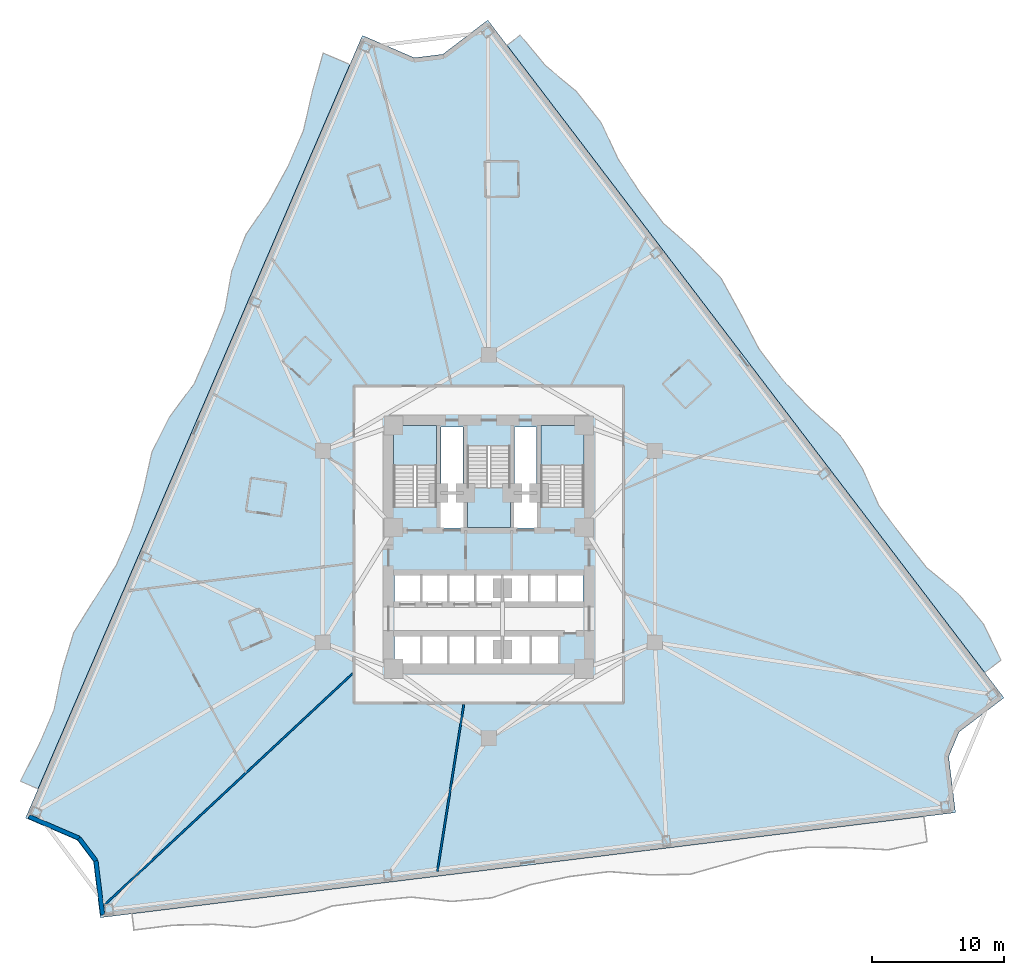
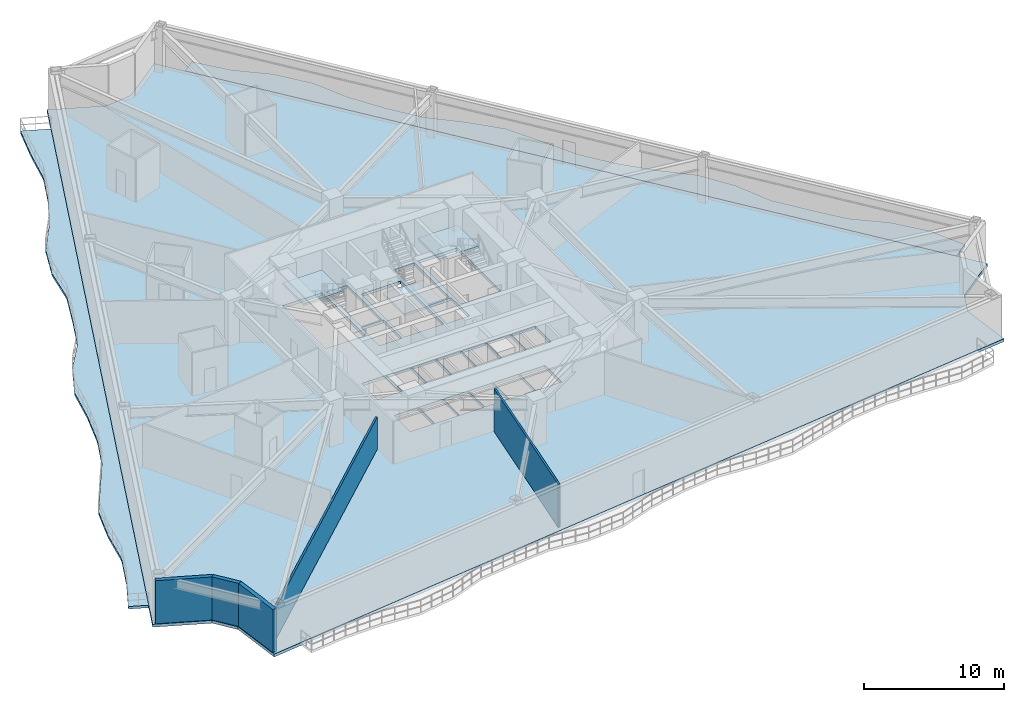
# One storey, part 2 of 12: 6 slabs, 5 walls, 3 elements without a shape of their own.
"""IFC4 building model written with IfcOpenShell, lengths in metres."""

from ifc_helpers import new_model, si_unit, direction, frame, frame_2d, origin, place, context, subcontext, project, spatial, polyline, rectangle, outline, extrude, material, layer, layer_set, type_object, element, aggregate, save


model = new_model("IFC4")

# Units and contexts
model_context = context("Model", 3, precision=1e-05, world=origin(), true_north=direction((0.0, 1.0)))
body_context = subcontext(model_context, "Body", "Model", "MODEL_VIEW")
ifc_project = project(units=[si_unit("LENGTHUNIT", "METRE"), si_unit("AREAUNIT", "SQUARE_METRE"), si_unit("VOLUMEUNIT", "CUBIC_METRE"), si_unit("PLANEANGLEUNIT", "RADIAN"), si_unit("MASSUNIT", "GRAM", prefix="KILO")], contexts=[model_context])

# Site, building, storey
site_placement = place(None, origin())
site = spatial("IfcSite", under=ifc_project, at=site_placement, CompositionType="ELEMENT")
building_placement = place(site_placement, origin())
building = spatial("IfcBuilding", under=site, at=building_placement, Name="Apsidion Concourse Tower", CompositionType="ELEMENT")
storey_placement = place(building_placement, frame((0.0, 0.0, 83.0)))
storey = spatial("IfcBuildingStorey", under=building, at=storey_placement, Name="L18", CompositionType="ELEMENT", Elevation=83.0)

# Slabs
ifc_material_1 = material(Name="Concrete C50/60", Category="concrete")
ifc_layer_1 = layer(ifc_material_1, 0.219970703125)
ifc_layer_set_1 = layer_set([ifc_layer_1], Name="Concrete C50/60")
slab_type_1 = type_object("IfcSlabType", Name="SL-BAL-220", PredefinedType="FLOOR", material=ifc_layer_set_1)
slab_1_placement = place(storey_placement, frame((0.0, 0.0, -0.219970703125)))
element("IfcSlab", 1, at=slab_1_placement, inside=storey, type_object=slab_type_1, Name="L18 Face 1 Rippling Balcony Slab", PredefinedType="FLOOR", context=body_context, shape_type="SweptSolid", body=[
    extrude(outline(polyline([(-10.510986328125, 36.466796875), (-11.690673828125, 33.726806640625), (-12.8701171875, 30.987060546875), (-14.049560546875, 28.247314453125), (-15.22900390625, 25.50732421875), (-16.40869140625, 22.767578125), (-17.588134765625, 20.02783203125), (-18.767578125, 17.2880859375), (-19.947021484375, 14.548095703125), (-21.126708984375, 11.808349609375), (-22.30615234375, 9.068603515625), (-23.485595703125, 6.32861328125), (-24.6650390625, 3.5888671875), (-25.844482421875, 0.84912109375), (-27.024169921875, -1.890869140625), (-28.20361328125, -4.630615234375), (-29.383056640625, -7.370361328125), (-30.5625, -10.110107421875), (-31.7421875, -12.85009765625), (-32.921630859375, -15.58984375), (-34.10107421875, -18.32958984375), (-35.44482421875, -17.751220703125), (-34.069580078125, -15.095703125), (-32.89013671875, -12.355712890625), (-32.27587890625, -9.37255859375), (-31.400390625, -6.501953125), (-29.79931640625, -3.943603515625), (-28.172119140625, -1.396484375), (-26.99267578125, 1.34326171875), (-26.13671875, 4.222412109375), (-25.476318359375, 7.185546875), (-24.122802734375, 9.8505859375), (-22.2890625, 12.30859375), (-21.09521484375, 15.04248046875), (-19.989013671875, 17.813720703125), (-19.45068359375, 20.82958984375), (-18.3759765625, 23.614501953125), (-16.63671875, 26.11328125), (-15.19775390625, 28.741455078125), (-14.018310546875, 31.481201171875), (-13.346435546875, 34.439697265625), (-12.53173828125, 37.336669921875), (-10.510986328125, 36.466796875)])), origin(), (0.0, 0.0, 1.0), 0.219970703125),
])
slab_2_placement = place(storey_placement, frame((0.0, 0.0, -0.219970703125)))
element("IfcSlab", 2, at=slab_2_placement, inside=storey, type_object=slab_type_1, Name="L18 Face 3 Rippling Balcony Slab", PredefinedType="FLOOR", context=body_context, shape_type="SweptSolid", body=[
    extrude(outline(polyline([(37.5224609375, -9.535400390625), (35.715087890625, -7.162353515625), (33.907958984375, -4.789306640625), (32.1005859375, -2.416015625), (30.29345703125, -0.04296875), (28.486083984375, 2.330078125), (26.6787109375, 4.703125), (24.87158203125, 7.076171875), (23.064208984375, 9.44921875), (21.2568359375, 11.822509765625), (19.44970703125, 14.195556640625), (17.642333984375, 16.568603515625), (15.835205078125, 18.941650390625), (14.02783203125, 21.314697265625), (12.220458984375, 23.687744140625), (10.4130859375, 26.060791015625), (8.60595703125, 28.43408203125), (6.798583984375, 30.80712890625), (4.991455078125, 33.18017578125), (3.18408203125, 35.55322265625), (1.376708984375, 37.926513671875), (2.371337890625, 38.68359375), (4.281494140625, 36.38916015625), (6.631591796875, 34.42919921875), (8.48388671875, 32.090576171875), (9.78369140625, 29.330810546875), (11.40771484375, 26.818359375), (13.215087890625, 24.4453125), (15.499755859375, 22.435791015625), (17.58349609375, 20.273193359375), (19.03759765625, 17.631103515625), (20.444091796875, 14.952880859375), (22.25146484375, 12.579833984375), (24.3251953125, 10.40966796875), (26.591064453125, 8.385986328125), (28.262451171875, 5.9091796875), (29.50537109375, 3.1064453125), (31.287841796875, 0.71435546875), (33.1455078125, -1.620361328125), (35.51171875, -3.56787109375), (37.4248046875, -5.8603515625), (38.755615234375, -8.59619140625), (37.5224609375, -9.535400390625)])), origin(), (0.0, 0.0, 1.0), 0.219970703125),
])
ifc_layer_2 = layer(ifc_material_1, 0.25)
ifc_layer_set_2 = layer_set([ifc_layer_2], Name="Concrete C50/60")
slab_type_2 = type_object("IfcSlabType", Name="SL-FLR-250", PredefinedType="FLOOR", material=ifc_layer_set_2)
slab_3_placement = place(storey_placement, frame((0.0, 0.0, -0.25)))
element("IfcSlab", 3, at=slab_3_placement, inside=storey, type_object=slab_type_2, Name="L18 Structural Floor Slab", PredefinedType="FLOOR", context=body_context, shape_type="SweptSolid", body=[
    extrude(outline(polyline([(-0.077392578125, 39.835693359375), (-3.478271484375, 37.24560546875), (-5.6357421875, 36.980712890625), (-9.56201171875, 38.671142578125), (-35.050048828125, -20.5341796875), (-31.123779296875, -22.224365234375), (-29.914794921875, -23.83740234375), (-29.393798828125, -28.080078125), (35.313720703125, -20.13525390625), (34.792724609375, -15.89208984375), (35.57568359375, -14.03466796875), (38.9765625, -11.444580078125), (-0.077392578125, 39.835693359375)]), holes=[polyline([(-3.949951171875, 3.0), (-3.949951171875, 9.14990234375), (-7.199951171875, 9.14990234375), (-7.199951171875, 3.0), (-3.949951171875, 3.0)]), polyline([(7.199951171875, 3.0), (7.199951171875, 9.14990234375), (3.949951171875, 9.14990234375), (3.949951171875, 3.0), (7.199951171875, 3.0)]), polyline([(-1.625, 7.60009765625), (-1.625, 1.449951171875), (1.625, 1.449951171875), (1.625, 7.60009765625), (-1.625, 7.60009765625)]), polyline([(-7.14501953125, -4.300048828125), (-5.155029296875, -4.300048828125), (-5.155029296875, -2.050048828125), (-7.14501953125, -2.050048828125), (-7.14501953125, -4.300048828125)]), polyline([(-5.094970703125, -4.300048828125), (-3.10498046875, -4.300048828125), (-3.10498046875, -2.050048828125), (-5.094970703125, -2.050048828125), (-5.094970703125, -4.300048828125)]), polyline([(-3.044921875, -4.300048828125), (-1.054931640625, -4.300048828125), (-1.054931640625, -2.050048828125), (-3.044921875, -2.050048828125), (-3.044921875, -4.300048828125)]), polyline([(-0.9951171875, -4.300048828125), (0.9951171875, -4.300048828125), (0.9951171875, -2.050048828125), (-0.9951171875, -2.050048828125), (-0.9951171875, -4.300048828125)]), polyline([(1.054931640625, -4.300048828125), (3.044921875, -4.300048828125), (3.044921875, -2.050048828125), (1.054931640625, -2.050048828125), (1.054931640625, -4.300048828125)]), polyline([(3.10498046875, -4.300048828125), (5.094970703125, -4.300048828125), (5.094970703125, -2.050048828125), (3.10498046875, -2.050048828125), (3.10498046875, -4.300048828125)]), polyline([(5.155029296875, -4.300048828125), (7.14501953125, -4.300048828125), (7.14501953125, -2.050048828125), (5.155029296875, -2.050048828125), (5.155029296875, -4.300048828125)]), polyline([(-7.14501953125, -8.949951171875), (-5.155029296875, -8.949951171875), (-5.155029296875, -6.64990234375), (-7.14501953125, -6.64990234375), (-7.14501953125, -8.949951171875)]), polyline([(-5.094970703125, -8.949951171875), (-3.10498046875, -8.949951171875), (-3.10498046875, -6.64990234375), (-5.094970703125, -6.64990234375), (-5.094970703125, -8.949951171875)]), polyline([(-3.044921875, -8.949951171875), (-1.054931640625, -8.949951171875), (-1.054931640625, -6.64990234375), (-3.044921875, -6.64990234375), (-3.044921875, -8.949951171875)]), polyline([(-0.9951171875, -8.949951171875), (0.9951171875, -8.949951171875), (0.9951171875, -6.64990234375), (-0.9951171875, -6.64990234375), (-0.9951171875, -8.949951171875)]), polyline([(1.044921875, -9.0), (3.155029296875, -9.0), (3.155029296875, -6.64990234375), (1.044921875, -6.64990234375), (1.044921875, -9.0)]), polyline([(3.195068359375, -9.0), (5.304931640625, -9.0), (5.304931640625, -6.64990234375), (3.195068359375, -6.64990234375), (3.195068359375, -9.0)]), polyline([(-3.7099609375, 1.39990234375), (-1.85009765625, 1.39990234375), (-1.85009765625, 4.0), (-3.7099609375, 4.0), (-3.7099609375, 1.39990234375)]), polyline([(1.85009765625, 1.39990234375), (3.7099609375, 1.39990234375), (3.7099609375, 4.0), (1.85009765625, 4.0), (1.85009765625, 1.39990234375)]), polyline([(-3.6201171875, 4.14990234375), (-1.93994140625, 4.14990234375), (-1.93994140625, 9.050048828125), (-3.6201171875, 9.050048828125), (-3.6201171875, 4.14990234375)]), polyline([(1.93994140625, 4.14990234375), (3.6201171875, 4.14990234375), (3.6201171875, 9.050048828125), (1.93994140625, 9.050048828125), (1.93994140625, 4.14990234375)])]), origin(), (0.0, 0.0, 1.0), 0.25),
])

# Stair, slab
ifc_material_2 = material(Name="Precast concrete C40/50", Category="concrete")
stair_type = type_object("IfcStairType", Name="ST-DL-1550", PredefinedType="HALF_TURN_STAIR", material=ifc_material_2)
stair_1_placement = place(storey_placement, origin())
stair_1 = element("IfcStair", 4, at=stair_1_placement, inside=storey, type_object=stair_type, Name="L18 Protected Core Exit Stair ST1", PredefinedType="HALF_TURN_STAIR")
ifc_layer_3 = layer(ifc_material_1, 0.199951171875)
ifc_layer_set_3 = layer_set([ifc_layer_3], Name="Concrete C50/60")
slab_type_3 = type_object("IfcSlabType", Name="SL-ST-LAND-200", PredefinedType="LANDING", material=ifc_layer_set_3)
slab_4_placement = place(storey_placement, frame((0.0, 0.0, 1.800048828125)))
slab_4 = element("IfcSlab", 5, at=slab_4_placement, type_object=slab_type_3, Name="ST1 landing 1", PredefinedType="LANDING", context=body_context, shape_type="SweptSolid", body=[
    extrude(outline(polyline([(-3.949951171875, 6.135009765625), (-3.949951171875, 9.14990234375), (-7.199951171875, 9.14990234375), (-7.199951171875, 6.135009765625), (-3.949951171875, 6.135009765625)])), origin(), (0.0, 0.0, 1.0), 0.199951171875),
])
aggregate(stair_1, [slab_4])

stair_2_placement = place(storey_placement, origin())
stair_2 = element("IfcStair", 6, at=stair_2_placement, inside=storey, type_object=stair_type, Name="L18 Protected Core Exit Stair ST2", PredefinedType="HALF_TURN_STAIR")
slab_5_placement = place(storey_placement, frame((0.0, 0.0, 1.800048828125)))
slab_5 = element("IfcSlab", 7, at=slab_5_placement, type_object=slab_type_3, Name="ST2 landing 1", PredefinedType="LANDING", context=body_context, shape_type="SweptSolid", body=[
    extrude(outline(polyline([(7.199951171875, 6.135009765625), (7.199951171875, 9.14990234375), (3.949951171875, 9.14990234375), (3.949951171875, 6.135009765625), (7.199951171875, 6.135009765625)])), origin(), (0.0, 0.0, 1.0), 0.199951171875),
])
aggregate(stair_2, [slab_5])

stair_3_placement = place(storey_placement, origin())
stair_3 = element("IfcStair", 8, at=stair_3_placement, inside=storey, type_object=stair_type, Name="L18 Protected Core Exit Stair ST3", PredefinedType="HALF_TURN_STAIR")
slab_6_placement = place(storey_placement, frame((0.0, 0.0, 1.800048828125)))
slab_6 = element("IfcSlab", 9, at=slab_6_placement, type_object=slab_type_3, Name="ST3 landing 1", PredefinedType="LANDING", context=body_context, shape_type="SweptSolid", body=[
    extrude(outline(polyline([(-1.625, 4.465087890625), (-1.625, 1.449951171875), (1.625, 1.449951171875), (1.625, 4.465087890625), (-1.625, 4.465087890625)])), origin(), (0.0, 0.0, 1.0), 0.199951171875),
])
aggregate(stair_3, [slab_6])

# Walls
ifc_layer_4 = layer(ifc_material_2, 0.320068359375)
ifc_layer_set_4 = layer_set([ifc_layer_4], Name="Precast concrete C40/50")
wall_type_1 = type_object("IfcWallType", Name="WL-EXT-320", PredefinedType="STANDARD", material=ifc_layer_set_4)
wall_1_placement = place(storey_placement, frame((-29.219482421875, -27.857421875, 0.0), z_axis=(0.0, 0.0, 1.0), x_axis=(-0.121887213021, 0.992543957365, 0.0)))
element("IfcWall", 10, at=wall_1_placement, inside=storey, type_object=wall_type_1, Name="L18 Precast Stone Facade Wall 06", PredefinedType="STANDARD", context=body_context, shape_type="SweptSolid", body=[
    extrude(rectangle(XDim=4.128173828125, YDim=0.320068359375, at=frame_2d((2.06396484375, 0.0))), origin(), (0.0, 0.0, 1.0), 3.75),
])
wall_2_placement = place(storey_placement, frame((-29.72265625, -23.760009765625, 0.0), z_axis=(0.0, 0.0, 1.0), x_axis=(-0.59977911486, 0.800165616218, 0.0)))
element("IfcWall", 11, at=wall_2_placement, inside=storey, type_object=wall_type_1, Name="L18 Precast Stone Facade Wall 07", PredefinedType="STANDARD", context=body_context, shape_type="SweptSolid", body=[
    extrude(rectangle(XDim=2.122314453125, YDim=0.320068359375, at=frame_2d((1.06103515625, 0.0))), origin(), (0.0, 0.0, 1.0), 3.75),
])
wall_3_placement = place(storey_placement, frame((-30.99560546875, -22.061767578125, 0.0), z_axis=(0.0, 0.0, 1.0), x_axis=(-0.918504494871, 0.395410537165, 0.0)))
element("IfcWall", 12, at=wall_3_placement, inside=storey, type_object=wall_type_1, Name="L18 Precast Stone Facade Wall 08", PredefinedType="STANDARD", context=body_context, shape_type="SweptSolid", body=[
    extrude(rectangle(XDim=4.128173828125, YDim=0.320068359375, at=frame_2d((2.06396484375, 0.0))), origin(), (0.0, 0.0, 1.0), 3.75),
])
ifc_material_3 = material(Name="Gypsum plasterboard partition")
ifc_layer_5 = layer(ifc_material_3, 0.14990234375)
ifc_layer_set_5 = layer_set([ifc_layer_5], Name="Gypsum plasterboard partition")
wall_type_2 = type_object("IfcWallType", Name="WL-INT-PAR-150", PredefinedType="PARTITIONING", material=ifc_layer_set_5)
wall_4_placement = place(storey_placement, frame((-10.304931640625, -9.609619140625, 0.0), z_axis=(0.0, 0.0, 1.0), x_axis=(-0.731352971377, -0.681999143151, 0.0)))
element("IfcWall", 13, at=wall_4_placement, inside=storey, type_object=wall_type_2, Name="L18 Interior Partition WL-L18-RAD-07-1", PredefinedType="PARTITIONING", context=body_context, shape_type="SweptSolid", body=[
    extrude(rectangle(XDim=25.73779296875, YDim=0.14990234375, at=frame_2d((12.868896484375, 0.0))), origin(), (0.0, 0.0, 1.0), 2.798095703125),
])
wall_5_placement = place(storey_placement, frame((-1.8935546875, -11.955078125, 0.0), z_axis=(0.0, 0.0, 1.0), x_axis=(-0.15642189172, -0.987690331931, 0.0)))
element("IfcWall", 14, at=wall_5_placement, inside=storey, type_object=wall_type_2, Name="L18 Interior Partition WL-L18-RAD-08-1", PredefinedType="PARTITIONING", context=body_context, shape_type="SweptSolid", body=[
    extrude(rectangle(XDim=12.7734375, YDim=0.14990234375, at=frame_2d((6.38671875, 0.0))), origin(), (0.0, 0.0, 1.0), 3.75),
])

save(model, "model.ifc")
